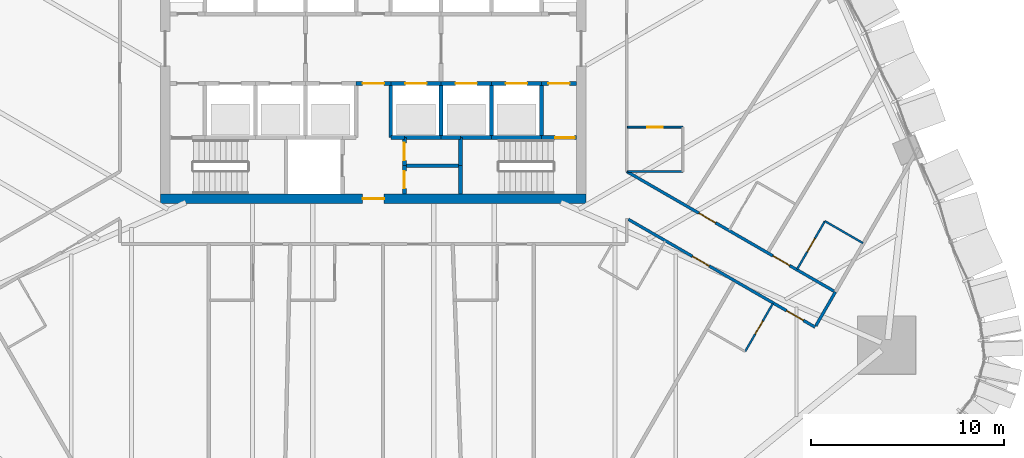
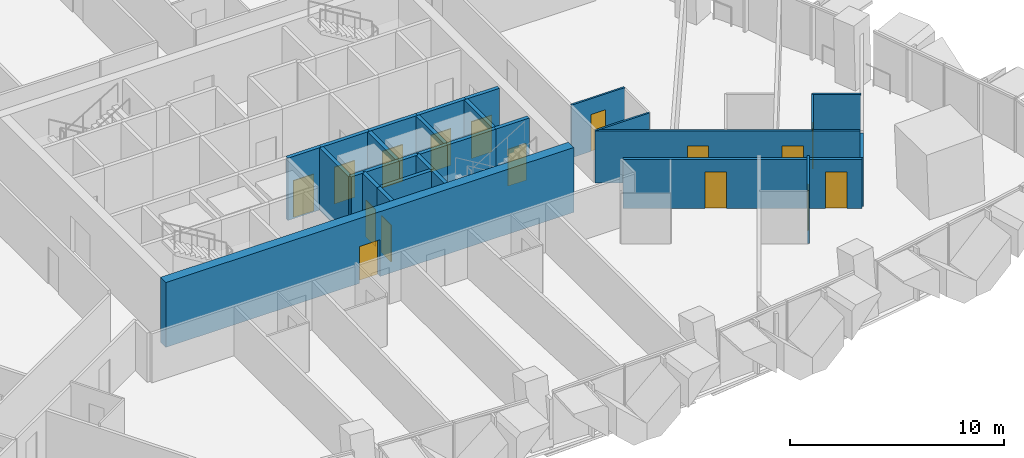
# One storey, part 15 of 23: 29 walls, 16 doors, 16 openings.
"""IFC4 building model written with IfcOpenShell, lengths in metres."""

from ifc_helpers import new_model, si_unit, direction, frame, frame_2d, origin, place, context, subcontext, project, spatial, rectangle, extrude, material, layer, layer_set, type_object, element, fill, save


model = new_model("IFC4")

# Units and contexts
model_context = context("Model", 3, precision=1e-05, world=origin(), true_north=direction((0.0, 1.0)))
body_context = subcontext(model_context, "Body", "Model", "MODEL_VIEW")
ifc_project = project(units=[si_unit("LENGTHUNIT", "METRE"), si_unit("AREAUNIT", "SQUARE_METRE"), si_unit("VOLUMEUNIT", "CUBIC_METRE"), si_unit("PLANEANGLEUNIT", "RADIAN"), si_unit("MASSUNIT", "GRAM", prefix="KILO")], contexts=[model_context])

# Site, building, storey
site_placement = place(None, origin())
site = spatial("IfcSite", under=ifc_project, at=site_placement, CompositionType="ELEMENT")
building_placement = place(site_placement, origin())
building = spatial("IfcBuilding", under=site, at=building_placement, Name="Sierra Prisma Convention Tower", CompositionType="ELEMENT")
storey_placement = place(building_placement, frame((0.0, 0.0, 70.199951171875)))
storey = spatial("IfcBuildingStorey", under=building, at=storey_placement, Name="L13", CompositionType="ELEMENT", Elevation=70.199951171875)

# Wall, opening, door
ifc_material_1 = material(Name="Gypsum board partition", Category="gypsum")
ifc_layer_1 = layer(ifc_material_1, 0.10009765625)
ifc_layer_set_1 = layer_set([ifc_layer_1], Name="Bathroom partition 100")
wall_type_1 = type_object("IfcWallType", Name="Bathroom partition 100", PredefinedType="PARTITIONING", material=ifc_layer_set_1)
wall_1_placement = place(storey_placement, frame((13.1298828125, -4.05078125, 0.0), z_axis=(0.0, 0.0, 1.0), x_axis=(1.0, 0.0, 0.0)))
wall_1 = element("IfcWall", 1, at=wall_1_placement, inside=storey, type_object=wall_type_1, Name="Partition L13 bath 25", PredefinedType="PARTITIONING", context=body_context, shape_type="SweptSolid", body=[
    extrude(rectangle(XDim=2.8701171875, YDim=0.10009765625, at=frame_2d((1.43505859375, 0.0))), origin(), (0.0, 0.0, 1.0), 3.0),
])
opening_1_placement = place(wall_1_placement, frame((1.034912109375, 0.0, 0.0)))
opening_1 = element("IfcOpeningElement", 2, at=opening_1_placement, cuts=wall_1, Name="Opening L13-D001", PredefinedType="OPENING", context=body_context, shape_type="SweptSolid", body=[
    extrude(rectangle(XDim=0.800048828125, YDim=2.10009765625, at=frame_2d((0.39990234375, 1.050048828125))), frame((0.0, 0.050048828125, 0.0), z_axis=(0.0, -1.0, 0.0), x_axis=(1.0, 0.0, 0.0)), (0.0, 0.0, 1.0), 0.10009765625),
])
ifc_material_2 = material(Name="Solid core timber door leaf", Category="wood")
door_type_1 = type_object("IfcDoorType", Name="Door 800x2100 plain", OperationType="SINGLE_SWING_LEFT", PredefinedType="DOOR", material=ifc_material_2)
door_1_placement = place(opening_1_placement, origin())
door_1 = element("IfcDoor", 3, at=door_1_placement, inside=storey, type_object=door_type_1, Name="Door L13 2", OperationType="SINGLE_SWING_RIGHT", OverallHeight=2.10009765625, OverallWidth=0.800048828125, PredefinedType="DOOR", context=body_context, shape_type="SweptSolid", body=[
    extrude(rectangle(XDim=0.800048828125, YDim=2.10009765625, at=frame_2d((0.39990234375, 1.050048828125))), frame((0.0, 0.02490234375, 0.0), z_axis=(0.0, -1.0, 0.0), x_axis=(1.0, 0.0, 0.0)), (0.0, 0.0, 1.0), 0.050048828125),
])
fill(opening_1, door_1)

# Wall
wall_2_placement = place(storey_placement, frame((16.0, -6.350830078125, 0.0), z_axis=(0.0, 0.0, 1.0), x_axis=(-1.0, 0.0, 0.0)))
element("IfcWall", 4, at=wall_2_placement, inside=storey, type_object=wall_type_1, Name="Partition L13 bath 27", PredefinedType="PARTITIONING", context=body_context, shape_type="SweptSolid", body=[
    extrude(rectangle(XDim=2.840087890625, YDim=0.10009765625, at=frame_2d((1.419921875, 0.0))), origin(), (0.0, 0.0, 1.0), 2.947021484375),
])

# Wall, opening, door
wall_3_placement = place(storey_placement, frame((20.6533203125, -13.17138671875, 0.0), z_axis=(0.0, 0.0, 1.0), x_axis=(-0.499972835562, -0.866041086612, 0.0)))
wall_3 = element("IfcWall", 5, at=wall_3_placement, inside=storey, type_object=wall_type_1, Name="Partition L13 bath 28", PredefinedType="PARTITIONING", context=body_context, shape_type="SweptSolid", body=[
    extrude(rectangle(XDim=2.869873046875, YDim=0.10009765625, at=frame_2d((1.43505859375, 0.0))), origin(), (0.0, 0.0, 1.0), 3.0),
])
opening_2_placement = place(wall_3_placement, frame((1.034912109375, 0.0, 0.0)))
opening_2 = element("IfcOpeningElement", 6, at=opening_2_placement, cuts=wall_3, Name="Opening L13-D013", PredefinedType="OPENING", context=body_context, shape_type="SweptSolid", body=[
    extrude(rectangle(XDim=0.800048828125, YDim=2.10009765625, at=frame_2d((0.39990234375, 1.050048828125))), frame((0.0, 0.050048828125, 0.0), z_axis=(0.0, -1.0, 0.0), x_axis=(1.0, 0.0, 0.0)), (0.0, 0.0, 1.0), 0.10009765625),
])
door_2_placement = place(opening_2_placement, origin())
door_2 = element("IfcDoor", 7, at=door_2_placement, inside=storey, type_object=door_type_1, Name="Door L13 32", OperationType="SINGLE_SWING_LEFT", OverallHeight=2.10009765625, OverallWidth=0.800048828125, PredefinedType="DOOR", context=body_context, shape_type="SweptSolid", body=[
    extrude(rectangle(XDim=0.800048828125, YDim=2.10009765625, at=frame_2d((0.39990234375, 1.050048828125))), frame((0.0, 0.02490234375, 0.0), z_axis=(0.0, -1.0, 0.0), x_axis=(1.0, 0.0, 0.0)), (0.0, 0.0, 1.0), 0.050048828125),
])
fill(opening_2, door_2)

wall_4_placement = place(storey_placement, frame((21.906494140625, -11.400634765625, 0.0), z_axis=(0.0, 0.0, 1.0), x_axis=(0.500036638401, 0.866004249561, 0.0)))
wall_4 = element("IfcWall", 8, at=wall_4_placement, inside=storey, type_object=wall_type_1, Name="Partition L13 bath 32", PredefinedType="PARTITIONING", context=body_context, shape_type="SweptSolid", body=[
    extrude(rectangle(XDim=2.869873046875, YDim=0.10009765625, at=frame_2d((1.43505859375, 0.0))), origin(), (0.0, 0.0, 1.0), 3.0),
])
opening_3_placement = place(wall_4_placement, frame((1.034912109375, 0.0, 0.0)))
opening_3 = element("IfcOpeningElement", 9, at=opening_3_placement, cuts=wall_4, Name="Opening L13-D014", PredefinedType="OPENING", context=body_context, shape_type="SweptSolid", body=[
    extrude(rectangle(XDim=0.800048828125, YDim=2.10009765625, at=frame_2d((0.39990234375, 1.050048828125))), frame((0.0, 0.050048828125, 0.0), z_axis=(0.0, -1.0, 0.0), x_axis=(1.0, 0.0, 0.0)), (0.0, 0.0, 1.0), 0.10009765625),
])
door_3_placement = place(opening_3_placement, origin())
door_3 = element("IfcDoor", 10, at=door_3_placement, inside=storey, type_object=door_type_1, Name="Door L13 34", OperationType="SINGLE_SWING_LEFT", OverallHeight=2.10009765625, OverallWidth=0.800048828125, PredefinedType="DOOR", context=body_context, shape_type="SweptSolid", body=[
    extrude(rectangle(XDim=0.800048828125, YDim=2.10009765625, at=frame_2d((0.39990234375, 1.050048828125))), frame((0.0, 0.02490234375, 0.0), z_axis=(0.0, -1.0, 0.0), x_axis=(1.0, 0.0, 0.0)), (0.0, 0.0, 1.0), 0.050048828125),
])
fill(opening_3, door_3)

# Wall
wall_5_placement = place(storey_placement, frame((23.341552734375, -8.915283203125, 0.0), z_axis=(0.0, 0.0, 1.0), x_axis=(0.866044110172, -0.499967598186, 0.0)))
element("IfcWall", 11, at=wall_5_placement, inside=storey, type_object=wall_type_1, Name="Partition L13 bath 33", PredefinedType="PARTITIONING", context=body_context, shape_type="SweptSolid", body=[
    extrude(rectangle(XDim=2.270263671875, YDim=0.10009765625, at=frame_2d((1.13525390625, 0.0))), origin(), (0.0, 0.0, 1.0), 3.0),
])

# Wall, opening, door
ifc_material_3 = material(Name="Concrete C30/37", Category="concrete")
ifc_layer_2 = layer(ifc_material_3, 0.199951171875)
ifc_layer_set_2 = layer_set([ifc_layer_2], Name="Core wall RC 200 C30/37")
wall_type_2 = type_object("IfcWallType", Name="Core wall RC 200 C30/37", PredefinedType="SOLIDWALL", material=ifc_layer_set_2)
wall_6_placement = place(storey_placement, frame((-0.89990234375, -1.800048828125, 0.0), z_axis=(0.0, 0.0, 1.0), x_axis=(1.0, 0.0, 0.0)))
wall_6 = element("IfcWall", 12, at=wall_6_placement, inside=storey, type_object=wall_type_2, Name="Core wall L13 33", PredefinedType="SOLIDWALL", context=body_context, shape_type="SweptSolid", body=[
    extrude(rectangle(XDim=1.7998046875, YDim=0.199951171875, at=frame_2d((0.89990234375, 0.0))), origin(), (0.0, 0.0, 1.0), 3.550048828125),
])
opening_4_placement = place(wall_6_placement, frame((0.35009765625, 0.0, 0.0)))
opening_4 = element("IfcOpeningElement", 13, at=opening_4_placement, cuts=wall_6, Name="Opening L13-D030", PredefinedType="OPENING", context=body_context, shape_type="SweptSolid", body=[
    extrude(rectangle(XDim=1.10009765625, YDim=2.10009765625, at=frame_2d((0.550048828125, 1.050048828125))), frame((0.0, 0.10009765625, 0.0), z_axis=(0.0, -1.0, 0.0), x_axis=(1.0, 0.0, 0.0)), (0.0, 0.0, 1.0), 0.199951171875),
])
ifc_material_4 = material(Name="Steel fire door leaf", Category="steel")
door_type_2 = type_object("IfcDoorType", Name="Door 1100x2100 FD30S", OperationType="SINGLE_SWING_LEFT", PredefinedType="DOOR", material=ifc_material_4)
door_4_placement = place(opening_4_placement, origin())
door_4 = element("IfcDoor", 14, at=door_4_placement, inside=storey, type_object=door_type_2, Name="Door L13 51", OperationType="SINGLE_SWING_LEFT", OverallHeight=2.10009765625, OverallWidth=1.10009765625, PredefinedType="DOOR", context=body_context, shape_type="SweptSolid", body=[
    extrude(rectangle(XDim=1.10009765625, YDim=2.10009765625, at=frame_2d((0.550048828125, 1.050048828125))), frame((0.0, 0.02490234375, 0.0), z_axis=(0.0, -1.0, 0.0), x_axis=(1.0, 0.0, 0.0)), (0.0, 0.0, 1.0), 0.050048828125),
])
fill(opening_4, door_4)

wall_7_placement = place(storey_placement, frame((0.89990234375, -1.800048828125, 0.0), z_axis=(0.0, 0.0, 1.0), x_axis=(1.0, 0.0, 0.0)))
wall_7 = element("IfcWall", 15, at=wall_7_placement, inside=storey, type_object=wall_type_2, Name="Core wall L13 35", PredefinedType="SOLIDWALL", context=body_context, shape_type="SweptSolid", body=[
    extrude(rectangle(XDim=2.60009765625, YDim=0.199951171875, at=frame_2d((1.300048828125, 0.0))), origin(), (0.0, 0.0, 1.0), 3.550048828125),
])
opening_5_placement = place(wall_7_placement, frame((0.75, 0.0, 0.0)))
opening_5 = element("IfcOpeningElement", 16, at=opening_5_placement, cuts=wall_7, Name="Opening L13-D019", PredefinedType="OPENING", context=body_context, shape_type="SweptSolid", body=[
    extrude(rectangle(XDim=1.10009765625, YDim=2.10009765625, at=frame_2d((0.550048828125, 1.050048828125))), frame((0.0, 0.10009765625, 0.0), z_axis=(0.0, -1.0, 0.0), x_axis=(1.0, 0.0, 0.0)), (0.0, 0.0, 1.0), 0.199951171875),
])
ifc_material_5 = material(Name="Steel fire door leaf", Category="steel")
door_type_3 = type_object("IfcDoorType", Name="Door 1100x2100 EI 90 sliding lift landing", OperationType="SLIDING_TO_LEFT", PredefinedType="DOOR", material=ifc_material_5)
door_5_placement = place(opening_5_placement, origin())
door_5 = element("IfcDoor", 17, at=door_5_placement, inside=storey, type_object=door_type_3, Name="Door L13 40", OperationType="SLIDING_TO_RIGHT", OverallHeight=2.10009765625, OverallWidth=1.10009765625, PredefinedType="DOOR", context=body_context, shape_type="SweptSolid", body=[
    extrude(rectangle(XDim=1.10009765625, YDim=2.10009765625, at=frame_2d((0.550048828125, 1.050048828125))), frame((0.0, 0.02490234375, 0.0), z_axis=(0.0, -1.0, 0.0), x_axis=(1.0, 0.0, 0.0)), (0.0, 0.0, 1.0), 0.050048828125),
])
fill(opening_5, door_5)

# Walls
wall_8_placement = place(storey_placement, frame((0.89990234375, -1.800048828125, 0.0), z_axis=(0.0, 0.0, 1.0), x_axis=(0.0, -1.0, 0.0)))
element("IfcWall", 18, at=wall_8_placement, inside=storey, type_object=wall_type_2, Name="Core wall L13 36", PredefinedType="SOLIDWALL", context=body_context, shape_type="SweptSolid", body=[
    extrude(rectangle(XDim=2.800048828125, YDim=0.199951171875, at=frame_2d((1.39990234375, 0.0))), origin(), (0.0, 0.0, 1.0), 3.550048828125),
])
wall_9_placement = place(storey_placement, frame((0.89990234375, -4.60009765625, 0.0), z_axis=(0.0, 0.0, 1.0), x_axis=(1.0, 0.0, 0.0)))
element("IfcWall", 19, at=wall_9_placement, inside=storey, type_object=wall_type_2, Name="Core wall L13 37", PredefinedType="SOLIDWALL", context=body_context, shape_type="SweptSolid", body=[
    extrude(rectangle(XDim=0.7001953125, YDim=0.199951171875, at=frame_2d((0.35009765625, 0.0))), origin(), (0.0, 0.0, 1.0), 3.550048828125),
])

# Wall, opening, door
wall_10_placement = place(storey_placement, frame((1.60009765625, -6.050048828125, 0.0), z_axis=(0.0, 0.0, 1.0), x_axis=(0.0, -1.0, 0.0)))
wall_10 = element("IfcWall", 20, at=wall_10_placement, inside=storey, type_object=wall_type_2, Name="Core wall L13 42", PredefinedType="SOLIDWALL", context=body_context, shape_type="SweptSolid", body=[
    extrude(rectangle(XDim=1.449951171875, YDim=0.199951171875, at=frame_2d((0.72509765625, 0.0))), origin(), (0.0, 0.0, 1.0), 3.550048828125),
])
opening_6_placement = place(wall_10_placement, frame((0.27490234375, 0.0, 0.0)))
opening_6 = element("IfcOpeningElement", 21, at=opening_6_placement, cuts=wall_10, Name="Opening L13-D037", PredefinedType="OPENING", context=body_context, shape_type="SweptSolid", body=[
    extrude(rectangle(XDim=0.89990234375, YDim=2.10009765625, at=frame_2d((0.449951171875, 1.050048828125))), frame((0.0, 0.10009765625, 0.0), z_axis=(0.0, -1.0, 0.0), x_axis=(1.0, 0.0, 0.0)), (0.0, 0.0, 1.0), 0.199951171875),
])
ifc_material_6 = material(Name="Steel fire door leaf", Category="steel")
door_type_4 = type_object("IfcDoorType", Name="Door 900x2100 FD30S", OperationType="SINGLE_SWING_LEFT", PredefinedType="DOOR", material=ifc_material_6)
door_6_placement = place(opening_6_placement, origin())
door_6 = element("IfcDoor", 22, at=door_6_placement, inside=storey, type_object=door_type_4, Name="Door L13 58", OperationType="SINGLE_SWING_LEFT", OverallHeight=2.10009765625, OverallWidth=0.89990234375, PredefinedType="DOOR", context=body_context, shape_type="SweptSolid", body=[
    extrude(rectangle(XDim=0.89990234375, YDim=2.10009765625, at=frame_2d((0.449951171875, 1.050048828125))), frame((0.0, 0.02490234375, 0.0), z_axis=(0.0, -1.0, 0.0), x_axis=(1.0, 0.0, 0.0)), (0.0, 0.0, 1.0), 0.050048828125),
])
fill(opening_6, door_6)

# Wall
wall_11_placement = place(storey_placement, frame((4.5, -6.050048828125, 0.0), z_axis=(0.0, 0.0, 1.0), x_axis=(-1.0, 0.0, 0.0)))
element("IfcWall", 23, at=wall_11_placement, inside=storey, type_object=wall_type_2, Name="Core wall L13 43", PredefinedType="SOLIDWALL", context=body_context, shape_type="SweptSolid", body=[
    extrude(rectangle(XDim=2.89990234375, YDim=0.199951171875, at=frame_2d((1.449951171875, 0.0))), origin(), (0.0, 0.0, 1.0), 3.550048828125),
])

# Wall, opening, door
wall_12_placement = place(storey_placement, frame((1.60009765625, -4.60009765625, 0.0), z_axis=(0.0, 0.0, 1.0), x_axis=(0.0, -1.0, 0.0)))
wall_12 = element("IfcWall", 24, at=wall_12_placement, inside=storey, type_object=wall_type_2, Name="Core wall L13 44", PredefinedType="SOLIDWALL", context=body_context, shape_type="SweptSolid", body=[
    extrude(rectangle(XDim=1.449951171875, YDim=0.199951171875, at=frame_2d((0.72509765625, 0.0))), origin(), (0.0, 0.0, 1.0), 3.550048828125),
])
opening_7_placement = place(wall_12_placement, frame((0.27490234375, 0.0, 0.0)))
opening_7 = element("IfcOpeningElement", 25, at=opening_7_placement, cuts=wall_12, Name="Opening L13-D038", PredefinedType="OPENING", context=body_context, shape_type="SweptSolid", body=[
    extrude(rectangle(XDim=0.89990234375, YDim=2.10009765625, at=frame_2d((0.449951171875, 1.050048828125))), frame((0.0, 0.10009765625, 0.0), z_axis=(0.0, -1.0, 0.0), x_axis=(1.0, 0.0, 0.0)), (0.0, 0.0, 1.0), 0.199951171875),
])
door_7_placement = place(opening_7_placement, origin())
door_7 = element("IfcDoor", 26, at=door_7_placement, inside=storey, type_object=door_type_4, Name="Door L13 59", OperationType="SINGLE_SWING_LEFT", OverallHeight=2.10009765625, OverallWidth=0.89990234375, PredefinedType="DOOR", context=body_context, shape_type="SweptSolid", body=[
    extrude(rectangle(XDim=0.89990234375, YDim=2.10009765625, at=frame_2d((0.449951171875, 1.050048828125))), frame((0.0, 0.02490234375, 0.0), z_axis=(0.0, -1.0, 0.0), x_axis=(1.0, 0.0, 0.0)), (0.0, 0.0, 1.0), 0.050048828125),
])
fill(opening_7, door_7)

# Walls
wall_13_placement = place(storey_placement, frame((3.5, -4.60009765625, 0.0), z_axis=(0.0, 0.0, 1.0), x_axis=(-1.0, 0.0, 0.0)))
element("IfcWall", 27, at=wall_13_placement, inside=storey, type_object=wall_type_2, Name="Core wall L13 45", PredefinedType="SOLIDWALL", context=body_context, shape_type="SweptSolid", body=[
    extrude(rectangle(XDim=1.89990234375, YDim=0.199951171875, at=frame_2d((0.949951171875, 0.0))), origin(), (0.0, 0.0, 1.0), 3.550048828125),
])
wall_14_placement = place(storey_placement, frame((4.5, -4.60009765625, 0.0), z_axis=(0.0, 0.0, 1.0), x_axis=(-1.0, 0.0, 0.0)))
element("IfcWall", 28, at=wall_14_placement, inside=storey, type_object=wall_type_2, Name="Core wall L13 46", PredefinedType="SOLIDWALL", context=body_context, shape_type="SweptSolid", body=[
    extrude(rectangle(XDim=1.0, YDim=0.199951171875, at=frame_2d((0.5, 0.0))), origin(), (0.0, 0.0, 1.0), 3.550048828125),
])
wall_15_placement = place(storey_placement, frame((3.5, -4.60009765625, 0.0), z_axis=(0.0, 0.0, 1.0), x_axis=(0.0, 1.0, 0.0)))
element("IfcWall", 29, at=wall_15_placement, inside=storey, type_object=wall_type_2, Name="Core wall L13 47", PredefinedType="SOLIDWALL", context=body_context, shape_type="SweptSolid", body=[
    extrude(rectangle(XDim=2.800048828125, YDim=0.199951171875, at=frame_2d((1.39990234375, 0.0))), origin(), (0.0, 0.0, 1.0), 3.550048828125),
])

# Wall, opening, door
wall_16_placement = place(storey_placement, frame((3.5, -1.800048828125, 0.0), z_axis=(0.0, 0.0, 1.0), x_axis=(1.0, 0.0, 0.0)))
wall_16 = element("IfcWall", 30, at=wall_16_placement, inside=storey, type_object=wall_type_2, Name="Core wall L13 48", PredefinedType="SOLIDWALL", context=body_context, shape_type="SweptSolid", body=[
    extrude(rectangle(XDim=2.60009765625, YDim=0.199951171875, at=frame_2d((1.300048828125, 0.0))), origin(), (0.0, 0.0, 1.0), 3.550048828125),
])
opening_8_placement = place(wall_16_placement, frame((0.75, 0.0, 0.0)))
opening_8 = element("IfcOpeningElement", 31, at=opening_8_placement, cuts=wall_16, Name="Opening L13-D020", PredefinedType="OPENING", context=body_context, shape_type="SweptSolid", body=[
    extrude(rectangle(XDim=1.10009765625, YDim=2.10009765625, at=frame_2d((0.550048828125, 1.050048828125))), frame((0.0, 0.10009765625, 0.0), z_axis=(0.0, -1.0, 0.0), x_axis=(1.0, 0.0, 0.0)), (0.0, 0.0, 1.0), 0.199951171875),
])
door_8_placement = place(opening_8_placement, origin())
door_8 = element("IfcDoor", 32, at=door_8_placement, inside=storey, type_object=door_type_3, Name="Door L13 41", OperationType="SLIDING_TO_LEFT", OverallHeight=2.10009765625, OverallWidth=1.10009765625, PredefinedType="DOOR", context=body_context, shape_type="SweptSolid", body=[
    extrude(rectangle(XDim=1.10009765625, YDim=2.10009765625, at=frame_2d((0.550048828125, 1.050048828125))), frame((0.0, 0.02490234375, 0.0), z_axis=(0.0, -1.0, 0.0), x_axis=(1.0, 0.0, 0.0)), (0.0, 0.0, 1.0), 0.050048828125),
])
fill(opening_8, door_8)

# Walls
for number, where, z_axis, x_axis, name in (
    (33, (4.5, -7.5, 0.0), (0.0, 0.0, 1.0), (0.0, 1.0, 0.0), "Core wall L13 55"),
    (34, (4.5, -6.050048828125, 0.0), (0.0, 0.0, 1.0), (0.0, 1.0, 0.0), "Core wall L13 56"),
):
    element("IfcWall", number, at=place(storey_placement, frame(where, z_axis=z_axis, x_axis=x_axis)), inside=storey, type_object=wall_type_2, Name=name, PredefinedType="SOLIDWALL", context=body_context, shape_type="SweptSolid", body=[
        extrude(rectangle(XDim=1.449951171875, YDim=0.199951171875, at=frame_2d((0.72509765625, 0.0))), origin(), (0.0, 0.0, 1.0), 3.550048828125),
    ])
wall_17_placement = place(storey_placement, frame((4.5, -4.60009765625, 0.0), z_axis=(0.0, 0.0, 1.0), x_axis=(1.0, 0.0, 0.0)))
element("IfcWall", 35, at=wall_17_placement, inside=storey, type_object=wall_type_2, Name="Core wall L13 57", PredefinedType="SOLIDWALL", context=body_context, shape_type="SweptSolid", body=[
    extrude(rectangle(XDim=1.60009765625, YDim=0.199951171875, at=frame_2d((0.800048828125, 0.0))), origin(), (0.0, 0.0, 1.0), 3.550048828125),
])
wall_18_placement = place(storey_placement, frame((6.10009765625, -4.60009765625, 0.0), z_axis=(0.0, 0.0, 1.0), x_axis=(1.0, 0.0, 0.0)))
element("IfcWall", 36, at=wall_18_placement, inside=storey, type_object=wall_type_2, Name="Core wall L13 58", PredefinedType="SOLIDWALL", context=body_context, shape_type="SweptSolid", body=[
    extrude(rectangle(XDim=2.599853515625, YDim=0.199951171875, at=frame_2d((1.2998046875, 0.0))), origin(), (0.0, 0.0, 1.0), 3.550048828125),
])
wall_19_placement = place(storey_placement, frame((6.10009765625, -4.60009765625, 0.0), z_axis=(0.0, 0.0, 1.0), x_axis=(0.0, 1.0, 0.0)))
element("IfcWall", 37, at=wall_19_placement, inside=storey, type_object=wall_type_2, Name="Core wall L13 59", PredefinedType="SOLIDWALL", context=body_context, shape_type="SweptSolid", body=[
    extrude(rectangle(XDim=2.800048828125, YDim=0.199951171875, at=frame_2d((1.39990234375, 0.0))), origin(), (0.0, 0.0, 1.0), 3.550048828125),
])

# Wall, opening, door
wall_20_placement = place(storey_placement, frame((6.10009765625, -1.800048828125, 0.0), z_axis=(0.0, 0.0, 1.0), x_axis=(1.0, 0.0, 0.0)))
wall_20 = element("IfcWall", 38, at=wall_20_placement, inside=storey, type_object=wall_type_2, Name="Core wall L13 60", PredefinedType="SOLIDWALL", context=body_context, shape_type="SweptSolid", body=[
    extrude(rectangle(XDim=2.599853515625, YDim=0.199951171875, at=frame_2d((1.2998046875, 0.0))), origin(), (0.0, 0.0, 1.0), 3.550048828125),
])
opening_9_placement = place(wall_20_placement, frame((0.75, 0.0, 0.0)))
opening_9 = element("IfcOpeningElement", 39, at=opening_9_placement, cuts=wall_20, Name="Opening L13-D021", PredefinedType="OPENING", context=body_context, shape_type="SweptSolid", body=[
    extrude(rectangle(XDim=1.10009765625, YDim=2.10009765625, at=frame_2d((0.550048828125, 1.050048828125))), frame((0.0, 0.10009765625, 0.0), z_axis=(0.0, -1.0, 0.0), x_axis=(1.0, 0.0, 0.0)), (0.0, 0.0, 1.0), 0.199951171875),
])
door_9_placement = place(opening_9_placement, origin())
door_9 = element("IfcDoor", 40, at=door_9_placement, inside=storey, type_object=door_type_3, Name="Door L13 42", OperationType="SLIDING_TO_LEFT", OverallHeight=2.10009765625, OverallWidth=1.10009765625, PredefinedType="DOOR", context=body_context, shape_type="SweptSolid", body=[
    extrude(rectangle(XDim=1.10009765625, YDim=2.10009765625, at=frame_2d((0.550048828125, 1.050048828125))), frame((0.0, 0.02490234375, 0.0), z_axis=(0.0, -1.0, 0.0), x_axis=(1.0, 0.0, 0.0)), (0.0, 0.0, 1.0), 0.050048828125),
])
fill(opening_9, door_9)

wall_21_placement = place(storey_placement, frame((8.699951171875, -4.60009765625, 0.0), z_axis=(0.0, 0.0, 1.0), x_axis=(1.0, 0.0, 0.0)))
wall_21 = element("IfcWall", 41, at=wall_21_placement, inside=storey, type_object=wall_type_2, Name="Core wall L13 64", PredefinedType="SOLIDWALL", context=body_context, shape_type="SweptSolid", body=[
    extrude(rectangle(XDim=1.800048828125, YDim=0.199951171875, at=frame_2d((0.89990234375, 0.0))), origin(), (0.0, 0.0, 1.0), 3.550048828125),
])
opening_10_placement = place(wall_21_placement, frame((0.699951171875, 0.0, 0.0)))
opening_10 = element("IfcOpeningElement", 42, at=opening_10_placement, cuts=wall_21, Name="Opening L13-D034", PredefinedType="OPENING", context=body_context, shape_type="SweptSolid", body=[
    extrude(rectangle(XDim=1.0, YDim=2.10009765625, at=frame_2d((0.5, 1.050048828125))), frame((0.0, 0.10009765625, 0.0), z_axis=(0.0, -1.0, 0.0), x_axis=(1.0, 0.0, 0.0)), (0.0, 0.0, 1.0), 0.199951171875),
])
ifc_material_7 = material(Name="Steel fire door leaf", Category="steel")
door_type_5 = type_object("IfcDoorType", Name="Door 1000x2100 FD90S", OperationType="SINGLE_SWING_LEFT", PredefinedType="DOOR", material=ifc_material_7)
door_10_placement = place(opening_10_placement, origin())
door_10 = element("IfcDoor", 43, at=door_10_placement, inside=storey, type_object=door_type_5, Name="Door L13 55", OperationType="SINGLE_SWING_RIGHT", OverallHeight=2.10009765625, OverallWidth=1.0, PredefinedType="DOOR", context=body_context, shape_type="SweptSolid", body=[
    extrude(rectangle(XDim=1.0, YDim=2.10009765625, at=frame_2d((0.5, 1.050048828125))), frame((0.0, 0.02490234375, 0.0), z_axis=(0.0, -1.0, 0.0), x_axis=(1.0, 0.0, 0.0)), (0.0, 0.0, 1.0), 0.050048828125),
])
fill(opening_10, door_10)

# Wall
wall_22_placement = place(storey_placement, frame((8.699951171875, -1.800048828125, 0.0), z_axis=(0.0, 0.0, 1.0), x_axis=(0.0, -1.0, 0.0)))
element("IfcWall", 44, at=wall_22_placement, inside=storey, type_object=wall_type_2, Name="Core wall L13 65", PredefinedType="SOLIDWALL", context=body_context, shape_type="SweptSolid", body=[
    extrude(rectangle(XDim=2.800048828125, YDim=0.199951171875, at=frame_2d((1.39990234375, 0.0))), origin(), (0.0, 0.0, 1.0), 3.550048828125),
])

# Wall, opening, door
wall_23_placement = place(storey_placement, frame((8.699951171875, -1.800048828125, 0.0), z_axis=(0.0, 0.0, 1.0), x_axis=(1.0, 0.0, 0.0)))
wall_23 = element("IfcWall", 45, at=wall_23_placement, inside=storey, type_object=wall_type_2, Name="Core wall L13 66", PredefinedType="SOLIDWALL", context=body_context, shape_type="SweptSolid", body=[
    extrude(rectangle(XDim=1.800048828125, YDim=0.199951171875, at=frame_2d((0.89990234375, 0.0))), origin(), (0.0, 0.0, 1.0), 3.550048828125),
])
opening_11_placement = place(wall_23_placement, frame((0.35009765625, 0.0, 0.0)))
opening_11 = element("IfcOpeningElement", 46, at=opening_11_placement, cuts=wall_23, Name="Opening L13-D028", PredefinedType="OPENING", context=body_context, shape_type="SweptSolid", body=[
    extrude(rectangle(XDim=1.10009765625, YDim=2.10009765625, at=frame_2d((0.550048828125, 1.050048828125))), frame((0.0, 0.10009765625, 0.0), z_axis=(0.0, -1.0, 0.0), x_axis=(1.0, 0.0, 0.0)), (0.0, 0.0, 1.0), 0.199951171875),
])
ifc_material_8 = material(Name="Steel fire door leaf", Category="steel")
door_type_6 = type_object("IfcDoorType", Name="Door 1100x2100 FD90S", OperationType="SINGLE_SWING_LEFT", PredefinedType="DOOR", material=ifc_material_8)
door_11_placement = place(opening_11_placement, origin())
door_11 = element("IfcDoor", 47, at=door_11_placement, inside=storey, type_object=door_type_6, Name="Door L13 49", OperationType="SINGLE_SWING_LEFT", OverallHeight=2.10009765625, OverallWidth=1.10009765625, PredefinedType="DOOR", context=body_context, shape_type="SweptSolid", body=[
    extrude(rectangle(XDim=1.10009765625, YDim=2.10009765625, at=frame_2d((0.550048828125, 1.050048828125))), frame((0.0, 0.02490234375, 0.0), z_axis=(0.0, -1.0, 0.0), x_axis=(1.0, 0.0, 0.0)), (0.0, 0.0, 1.0), 0.050048828125),
])
fill(opening_11, door_11)

ifc_material_9 = material(Name="Concrete C60/75", Category="concrete")
ifc_layer_3 = layer(ifc_material_9, 0.5)
ifc_layer_set_3 = layer_set([ifc_layer_3], Name="Core wall RC 500 C60/75")
wall_type_3 = type_object("IfcWallType", Name="Core wall RC 500 C60/75", PredefinedType="SHEAR", material=ifc_layer_set_3)
wall_24_placement = place(storey_placement, frame((-11.0, -7.75, 0.0), z_axis=(0.0, 0.0, 1.0), x_axis=(1.0, 0.0, 0.0)))
wall_24 = element("IfcWall", 48, at=wall_24_placement, inside=storey, type_object=wall_type_3, Name="Core wall S L13", PredefinedType="SHEAR", context=body_context, shape_type="SweptSolid", body=[
    extrude(rectangle(XDim=22.0, YDim=0.5, at=frame_2d((11.0, 0.0))), origin(), (0.0, 0.0, 1.0), 3.699951171875),
])
opening_12_placement = place(wall_24_placement, frame((10.449951171875, 0.0, 0.0)))
opening_12 = element("IfcOpeningElement", 49, at=opening_12_placement, cuts=wall_24, Name="Opening L13-D062", PredefinedType="OPENING", context=body_context, shape_type="SweptSolid", body=[
    extrude(rectangle(XDim=1.10009765625, YDim=2.10009765625, at=frame_2d((0.550048828125, 1.050048828125))), frame((0.0, 0.25, 0.0), z_axis=(0.0, -1.0, 0.0), x_axis=(1.0, 0.0, 0.0)), (0.0, 0.0, 1.0), 0.5),
])
door_12_placement = place(opening_12_placement, origin())
door_12 = element("IfcDoor", 50, at=door_12_placement, inside=storey, type_object=door_type_2, Name="Door L13 63", OperationType="SINGLE_SWING_RIGHT", OverallHeight=2.10009765625, OverallWidth=1.10009765625, PredefinedType="DOOR", context=body_context, shape_type="SweptSolid", body=[
    extrude(rectangle(XDim=1.10009765625, YDim=2.10009765625, at=frame_2d((0.550048828125, 1.050048828125))), frame((0.0, 0.02490234375, 0.0), z_axis=(0.0, -1.0, 0.0), x_axis=(1.0, 0.0, 0.0)), (0.0, 0.0, 1.0), 0.050048828125),
])
fill(opening_12, door_12)

# Wall, openings, doors
ifc_material_10 = material(Name="Gypsum board partition", Category="gypsum")
ifc_layer_4 = layer(ifc_material_10, 0.14990234375)
ifc_layer_set_4 = layer_set([ifc_layer_4], Name="Corridor wall 150 gypsum EI 60")
wall_type_4 = type_object("IfcWallType", Name="Corridor wall 150 gypsum EI 60", PredefinedType="PARTITIONING", material=ifc_layer_set_4)
wall_25_placement = place(storey_placement, frame((13.17919921875, -8.821533203125, 0.0), z_axis=(0.0, 0.0, 1.0), x_axis=(0.866032412198, -0.499987860876, 0.0)))
wall_25 = element("IfcWall", 51, at=wall_25_placement, inside=storey, type_object=wall_type_4, Name="Partition L13 corr 14", PredefinedType="PARTITIONING", context=body_context, shape_type="SweptSolid", body=[
    extrude(rectangle(XDim=11.147705078125, YDim=0.14990234375, at=frame_2d((5.57373046875, 0.0))), origin(), (0.0, 0.0, 1.0), 2.797119140625),
])
opening_13_placement = place(wall_25_placement, frame((3.827880859375, 0.0, 0.0)))
opening_13 = element("IfcOpeningElement", 52, at=opening_13_placement, cuts=wall_25, Name="Opening L13-D056", PredefinedType="OPENING", context=body_context, shape_type="SweptSolid", body=[
    extrude(rectangle(XDim=1.0, YDim=2.10009765625, at=frame_2d((0.5, 1.050048828125))), frame((0.0, 0.074951171875, 0.0), z_axis=(0.0, -1.0, 0.0), x_axis=(1.0, 0.0, 0.0)), (0.0, 0.0, 1.0), 0.14990234375),
])
opening_14_placement = place(wall_25_placement, frame((9.447509765625, 0.0, 0.0)))
opening_14 = element("IfcOpeningElement", 53, at=opening_14_placement, cuts=wall_25, Name="Opening L13-D057", PredefinedType="OPENING", context=body_context, shape_type="SweptSolid", body=[
    extrude(rectangle(XDim=1.0, YDim=2.10009765625, at=frame_2d((0.5, 1.050048828125))), frame((0.0, 0.074951171875, 0.0), z_axis=(0.0, -1.0, 0.0), x_axis=(1.0, 0.0, 0.0)), (0.0, 0.0, 1.0), 0.14990234375),
])
ifc_material_11 = material(Name="Steel fire door leaf", Category="steel")
door_type_7 = type_object("IfcDoorType", Name="Door 1000x2100 FD30S", OperationType="SINGLE_SWING_LEFT", PredefinedType="DOOR", material=ifc_material_11)
door_13_placement = place(opening_13_placement, origin())
door_13 = element("IfcDoor", 54, at=door_13_placement, inside=storey, type_object=door_type_7, Name="Door L13 29", OperationType="SINGLE_SWING_LEFT", OverallHeight=2.10009765625, OverallWidth=1.0, PredefinedType="DOOR", context=body_context, shape_type="SweptSolid", body=[
    extrude(rectangle(XDim=1.0, YDim=2.10009765625, at=frame_2d((0.5, 1.050048828125))), frame((0.0, 0.02490234375, 0.0), z_axis=(0.0, -1.0, 0.0), x_axis=(1.0, 0.0, 0.0)), (0.0, 0.0, 1.0), 0.050048828125),
])
fill(opening_13, door_13)
door_14_placement = place(opening_14_placement, origin())
door_14 = element("IfcDoor", 55, at=door_14_placement, inside=storey, type_object=door_type_7, Name="Door L13 31", OperationType="SINGLE_SWING_LEFT", OverallHeight=2.10009765625, OverallWidth=1.0, PredefinedType="DOOR", context=body_context, shape_type="SweptSolid", body=[
    extrude(rectangle(XDim=1.0, YDim=2.10009765625, at=frame_2d((0.5, 1.050048828125))), frame((0.0, 0.02490234375, 0.0), z_axis=(0.0, -1.0, 0.0), x_axis=(1.0, 0.0, 0.0)), (0.0, 0.0, 1.0), 0.050048828125),
])
fill(opening_14, door_14)

# Wall
wall_26_placement = place(storey_placement, frame((22.873291015625, -14.325927734375, 0.0), z_axis=(0.0, 0.0, 1.0), x_axis=(0.500025864173, 0.866010470582, 0.0)))
element("IfcWall", 56, at=wall_26_placement, inside=storey, type_object=wall_type_4, Name="Partition L13 corr 15", PredefinedType="PARTITIONING", context=body_context, shape_type="SweptSolid", body=[
    extrude(rectangle(XDim=2.02001953125, YDim=0.14990234375, at=frame_2d((1.010009765625, 0.0))), origin(), (0.0, 0.0, 1.0), 2.797119140625),
])

# Wall, openings, doors
wall_27_placement = place(storey_placement, frame((23.814208984375, -12.53662109375, 0.0), z_axis=(0.0, 0.0, 1.0), x_axis=(-0.86602554532, 0.499999754854, 0.0)))
wall_27 = element("IfcWall", 57, at=wall_27_placement, inside=storey, type_object=wall_type_4, Name="Partition L13 corr 16", PredefinedType="PARTITIONING", context=body_context, shape_type="SweptSolid", body=[
    extrude(rectangle(XDim=12.37158203125, YDim=0.14990234375, at=frame_2d((6.185791015625, 0.0))), origin(), (0.0, 0.0, 1.0), 2.947021484375),
])
opening_15_placement = place(wall_27_placement, frame((2.645751953125, 0.0, 0.0)))
opening_15 = element("IfcOpeningElement", 58, at=opening_15_placement, cuts=wall_27, Name="Opening L13-D058", PredefinedType="OPENING", context=body_context, shape_type="SweptSolid", body=[
    extrude(rectangle(XDim=1.0, YDim=2.10009765625, at=frame_2d((0.5, 1.050048828125))), frame((0.0, 0.074951171875, 0.0), z_axis=(0.0, -1.0, 0.0), x_axis=(1.0, 0.0, 0.0)), (0.0, 0.0, 1.0), 0.14990234375),
])
opening_16_placement = place(wall_27_placement, frame((7.071533203125, 0.0, 0.0)))
opening_16 = element("IfcOpeningElement", 59, at=opening_16_placement, cuts=wall_27, Name="Opening L13-D059", PredefinedType="OPENING", context=body_context, shape_type="SweptSolid", body=[
    extrude(rectangle(XDim=1.0, YDim=2.10009765625, at=frame_2d((0.5, 1.050048828125))), frame((0.0, 0.074951171875, 0.0), z_axis=(0.0, -1.0, 0.0), x_axis=(1.0, 0.0, 0.0)), (0.0, 0.0, 1.0), 0.14990234375),
])
door_15_placement = place(opening_15_placement, origin())
door_15 = element("IfcDoor", 60, at=door_15_placement, inside=storey, type_object=door_type_7, Name="Door L13 33", OperationType="SINGLE_SWING_LEFT", OverallHeight=2.10009765625, OverallWidth=1.0, PredefinedType="DOOR", context=body_context, shape_type="SweptSolid", body=[
    extrude(rectangle(XDim=1.0, YDim=2.10009765625, at=frame_2d((0.5, 1.050048828125))), frame((0.0, 0.02490234375, 0.0), z_axis=(0.0, -1.0, 0.0), x_axis=(1.0, 0.0, 0.0)), (0.0, 0.0, 1.0), 0.050048828125),
])
fill(opening_15, door_15)
door_16_placement = place(opening_16_placement, origin())
door_16 = element("IfcDoor", 61, at=door_16_placement, inside=storey, type_object=door_type_7, Name="Door L13 35", OperationType="SINGLE_SWING_LEFT", OverallHeight=2.10009765625, OverallWidth=1.0, PredefinedType="DOOR", context=body_context, shape_type="SweptSolid", body=[
    extrude(rectangle(XDim=1.0, YDim=2.10009765625, at=frame_2d((0.5, 1.050048828125))), frame((0.0, 0.02490234375, 0.0), z_axis=(0.0, -1.0, 0.0), x_axis=(1.0, 0.0, 0.0)), (0.0, 0.0, 1.0), 0.050048828125),
])
fill(opening_16, door_16)

save(model, "model.ifc")
